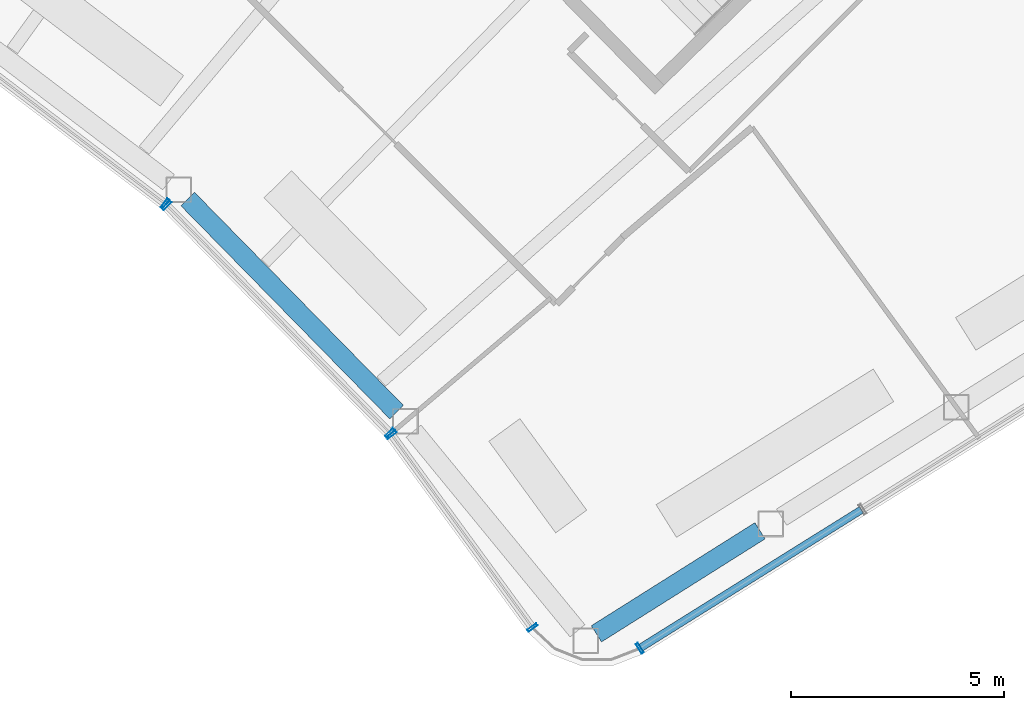
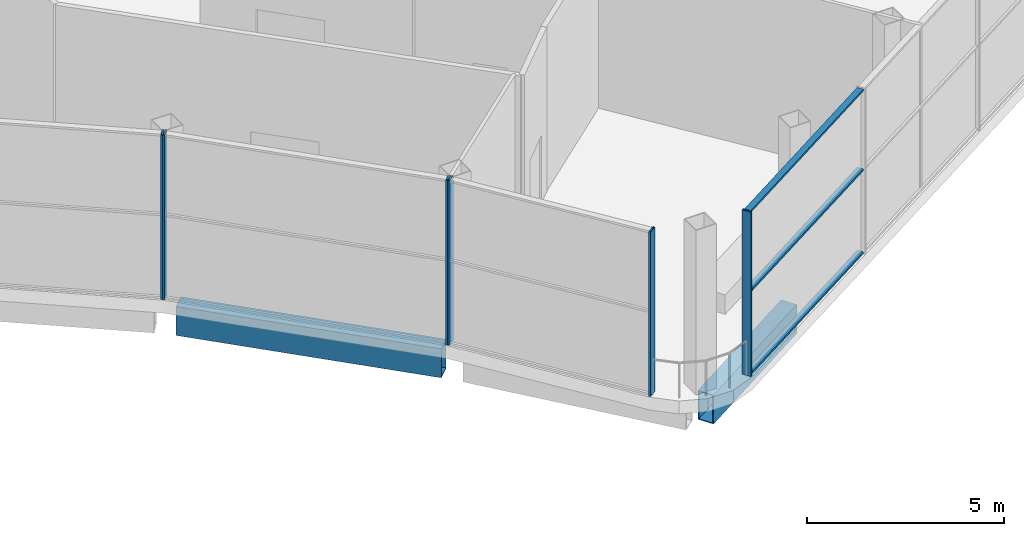
# One storey, part 22 of 43: 9 members, 2 beams, 4 elements without a shape of their own.
"""IFC4 building model written with IfcOpenShell, lengths in metres."""

import ifcopenshell
import ifcopenshell.guid

model = None  # the IFC model being written
_history = None  # IfcOwnerHistory: only IFC2X3 demands one
_inside = {}  # id of a spatial element -> (the spatial element, [elements in it])
_under = {}  # id of a project, library or spatial element -> (it, [spatial elements below it])
_declared = {}  # id of a project -> (the project, [libraries it declares])
_typed = {}  # id of a type object -> (the type object, [elements of that type])
_made_of = {}  # id of a material, layer set ... -> (it, [elements and type objects made of it])


def new_model(schema):
    """Start an empty IFC model of exactly this schema.

    Asked for "IFC4X3", IfcOpenShell would pick the latest addendum, in which some entities
    have other attributes; the version numbers below select the first issue.
    IFC2X3 requires an IfcOwnerHistory on every rooted entity: one is made here for all.
    """
    global model, _history
    if schema == "IFC4X3":
        model = ifcopenshell.file(schema_version=(4, 3, 0, 0))
    else:
        model = ifcopenshell.file(schema=schema)
    _inside.clear()
    _under.clear()
    _declared.clear()
    _typed.clear()
    _made_of.clear()
    _history = None
    if model.schema == "IFC2X3":
        org = make("IfcOrganization", Name="unknown")
        user = make(
            "IfcPersonAndOrganization",
            ThePerson=make("IfcPerson", FamilyName="unknown"),
            TheOrganization=org,
        )
        app = make(
            "IfcApplication",
            ApplicationDeveloper=org,
            Version="unknown",
            ApplicationFullName="unknown",
            ApplicationIdentifier="unknown",
        )
        _history = make(
            "IfcOwnerHistory",
            OwningUser=user,
            OwningApplication=app,
            ChangeAction="ADDED",
            CreationDate=0,
        )
    return model


def make(cls, **values):
    """One entity of the class cls with the attributes given. An attribute that is None is left unset."""
    return model.create_entity(
        cls, **{name: value for name, value in values.items() if value is not None}
    )


def rooted(cls, **values):
    """An entity with a GlobalId (a new one), such as an element, a storey or a relation."""
    return make(cls, GlobalId=ifcopenshell.guid.new(), OwnerHistory=_history, **values)


def si_unit(unit_type, name, prefix=None):
    """IfcSIUnit, for example si_unit("LENGTHUNIT", "METRE", prefix="MILLI")."""
    return make("IfcSIUnit", UnitType=unit_type, Prefix=prefix, Name=name)


def assignment(units):
    """IfcUnitAssignment: the units of a project."""
    return None if units is None else make("IfcUnitAssignment", Units=units)


def point(xyz):
    """IfcCartesianPoint."""
    return None if xyz is None else make("IfcCartesianPoint", Coordinates=xyz)


def direction(xyz):
    """IfcDirection."""
    return None if xyz is None else make("IfcDirection", DirectionRatios=xyz)


def frame(location, z_axis=None, x_axis=None):
    """IfcAxis2Placement3D, a coordinate frame: its origin and axes. An axis left out is left unset."""
    return make(
        "IfcAxis2Placement3D",
        Location=point(location),
        Axis=direction(z_axis),
        RefDirection=direction(x_axis),
    )


def frame_2d(location, x_axis=None):
    """IfcAxis2Placement2D, a coordinate frame in the plane: its origin and x axis."""
    return make(
        "IfcAxis2Placement2D", Location=point(location), RefDirection=direction(x_axis)
    )


def origin():
    """The frame at (0, 0, 0) with its axes left unset."""
    return frame((0.0, 0.0, 0.0))


def origin_2d():
    """The frame at (0, 0) in the plane with its x axis left unset."""
    return frame_2d((0.0, 0.0))


def place(relative_to, where):
    """IfcLocalPlacement: puts the frame where relative to a parent placement (None: the world)."""
    return make(
        "IfcLocalPlacement", PlacementRelTo=relative_to, RelativePlacement=where
    )


def context(
    kind, dimensions, precision=None, world=None, true_north=None, identifier=None
):
    """IfcGeometricRepresentationContext, for example the 3D "Model" context."""
    return make(
        "IfcGeometricRepresentationContext",
        ContextIdentifier=identifier,
        ContextType=kind,
        CoordinateSpaceDimension=dimensions,
        Precision=precision,
        WorldCoordinateSystem=world,
        TrueNorth=true_north,
    )


def subcontext(parent, identifier, kind, view, scale=None):
    """IfcGeometricRepresentationSubContext, for example "Body" below "Model"."""
    return make(
        "IfcGeometricRepresentationSubContext",
        ContextIdentifier=identifier,
        ContextType=kind,
        ParentContext=parent,
        TargetScale=scale,
        TargetView=view,
    )


def project(units=None, contexts=None):
    """IfcProject with its units and contexts."""
    return rooted(
        "IfcProject",
        Name="project",
        RepresentationContexts=contexts,
        UnitsInContext=assignment(units),
    )


def spatial(cls, under=None, at=None, **own):
    """A site, building, storey or space (cls), placed at a placement, below another one or the project."""
    s = rooted(cls, ObjectPlacement=at, **own)
    if under is not None:
        _under.setdefault(under.id(), (under, []))[1].append(s)
    return s


def profile(cls, at=None, kind="AREA", **sizes):
    """A parametric profile (cls). Its sizes go by their IFC names, for example OverallWidth=200.0."""
    return make(cls, ProfileType=kind, Position=at, **sizes)


def hollow_rectangle(**sizes):
    """IfcRectangleHollowProfileDef."""
    return profile("IfcRectangleHollowProfileDef", **sizes)


def extrude(swept, where, along, depth):
    """IfcExtrudedAreaSolid: the profile swept, set in the frame where, extruded along a direction by depth."""
    return make(
        "IfcExtrudedAreaSolid",
        SweptArea=swept,
        Position=where,
        ExtrudedDirection=direction(along),
        Depth=depth,
    )


def shape(context_of_items, identifier, shape_type, items):
    """IfcShapeRepresentation: the items that make up one representation, for example the "Body"."""
    return make(
        "IfcShapeRepresentation",
        ContextOfItems=context_of_items,
        RepresentationIdentifier=identifier,
        RepresentationType=shape_type,
        Items=items,
    )


def material(Name=None, Category=None):
    """IfcMaterial."""
    return make("IfcMaterial", Name=Name, Category=Category)


def layer(
    of_material, thickness, ventilated=None, Name=None, Category=None, Priority=None
):
    """IfcMaterialLayer: one layer of a wall or slab, of a material (None: an air gap)."""
    return make(
        "IfcMaterialLayer",
        Material=of_material,
        LayerThickness=thickness,
        IsVentilated=ventilated,
        Name=Name,
        Category=Category,
        Priority=Priority,
    )


def layer_set(layers, Name=None):
    """IfcMaterialLayerSet."""
    return make("IfcMaterialLayerSet", MaterialLayers=layers, LayerSetName=Name)


def material_profile(
    of_material, cross_section, Name=None, Category=None, Priority=None
):
    """IfcMaterialProfile: a cross section and its material."""
    return make(
        "IfcMaterialProfile",
        Name=Name,
        Material=of_material,
        Profile=cross_section,
        Priority=Priority,
        Category=Category,
    )


def profile_set(profiles, Name=None, composite=None):
    """IfcMaterialProfileSet."""
    return make(
        "IfcMaterialProfileSet",
        Name=Name,
        MaterialProfiles=profiles,
        CompositeProfile=composite,
    )


def made_of(thing, what):
    """Note that an element or type object is made of a material, layer set ...; save() writes the relation."""
    if what is not None:
        _made_of.setdefault(what.id(), (what, []))[1].append(thing)
    return thing


def type_object(cls, material=None, **own):
    """A type object (cls), such as IfcWallType, which elements share."""
    return made_of(rooted(cls, **own), material)


def element(
    cls,
    number,
    at=None,
    inside=None,
    cuts=None,
    type_object=None,
    material=None,
    context=None,
    identifier="Body",
    shape_type=None,
    held_by="IfcProductDefinitionShape",
    body=None,
    shapes=None,
    **own,
):
    """One element of the class cls, such as IfcWall. Its Tag is "e" and its number.

    at: its placement. inside: the storey or other place that contains it. cuts: it is an
    opening in that element (IfcRelVoidsElement). A single representation is given by context,
    identifier, shape_type and body (its items); several are given by shapes. held_by: the class
    of the entity that holds the representations. save() writes the other relations.
    """
    e = rooted(cls, Tag="e%d" % number, ObjectPlacement=at, **own)
    if body is not None:
        shapes = [shape(context, identifier, shape_type, body)]
    if shapes is not None:
        e.Representation = make(held_by, Representations=shapes)
    if inside is not None:
        _inside.setdefault(inside.id(), (inside, []))[1].append(e)
    if cuts is not None:
        rooted(
            "IfcRelVoidsElement", RelatingBuildingElement=cuts, RelatedOpeningElement=e
        )
    if type_object is not None:
        _typed.setdefault(type_object.id(), (type_object, []))[1].append(e)
    return made_of(e, material)


def aggregate(whole, parts):
    """IfcRelAggregates: a whole, such as a stair, and the parts it consists of."""
    return rooted("IfcRelAggregates", RelatingObject=whole, RelatedObjects=parts)


def save(model, path):
    """Write the relations noted so far, then the file.

    IfcRelAggregates (storeys below a building ...), IfcRelContainedInSpatialStructure (elements
    in a storey), IfcRelDefinesByType, IfcRelAssociatesMaterial and IfcRelDeclares: one each for
    every whole, place, type object, material and project.
    """
    for whole, parts in _under.values():
        aggregate(whole, parts)
    for where, things in _inside.values():
        rooted(
            "IfcRelContainedInSpatialStructure",
            RelatedElements=things,
            RelatingStructure=where,
        )
    for kind, things in _typed.values():
        rooted("IfcRelDefinesByType", RelatedObjects=things, RelatingType=kind)
    for what, things in _made_of.values():
        rooted("IfcRelAssociatesMaterial", RelatedObjects=things, RelatingMaterial=what)
    for by, libraries in _declared.values():
        rooted("IfcRelDeclares", RelatingContext=by, RelatedDefinitions=libraries)
    model.write(path)


model = new_model("IFC4")

# Units and contexts
model_context = context("Model", 3, precision=1e-05, world=origin(), true_north=direction((0.0, 1.0)))
body_context = subcontext(model_context, "Body", "Model", "MODEL_VIEW")
ifc_project = project(units=[si_unit("LENGTHUNIT", "METRE"), si_unit("AREAUNIT", "SQUARE_METRE"), si_unit("VOLUMEUNIT", "CUBIC_METRE"), si_unit("PLANEANGLEUNIT", "RADIAN"), si_unit("MASSUNIT", "GRAM", prefix="KILO")], contexts=[model_context])

# Site, building, storey
site_placement = place(None, origin())
site = spatial("IfcSite", under=ifc_project, at=site_placement, CompositionType="ELEMENT")
building_placement = place(site_placement, origin())
building = spatial("IfcBuilding", under=site, at=building_placement, Name="Tuul Gate Civic Tower", CompositionType="ELEMENT")
storey_placement = place(building_placement, frame((0.0, 0.0, 349.10009765625)))
storey = spatial("IfcBuildingStorey", under=building, at=storey_placement, Name="Observation level 1", CompositionType="ELEMENT", Elevation=349.10009765625)

# Curtain wall, member
ifc_material_1 = material(Name="Stainless steel", Category="steel")
ifc_layer = layer(ifc_material_1, 0.199951171875)
ifc_layer_set = layer_set([ifc_layer], Name="Stainless steel")
curtain_wall_type = type_object("IfcCurtainWallType", Name="Curtain wall CW4", PredefinedType="NOTDEFINED", material=ifc_layer_set)
curtain_wall_1_placement = place(storey_placement, origin())
curtain_wall_1 = element("IfcCurtainWall", 1, at=curtain_wall_1_placement, inside=storey, type_object=curtain_wall_type, Name="Curtain wall CW4", PredefinedType="NOTDEFINED")
ifc_material_2 = material(Name="Stainless steel", Category="steel")
ifc_material_profile_1 = material_profile(ifc_material_2, hollow_rectangle(XDim=0.260009765625, YDim=0.06005859375, WallThickness=0.006103515625, at=origin_2d()), Name="CW4 mullion")
ifc_profile_set_1 = profile_set([ifc_material_profile_1], Name="Stainless steel")
member_type_1 = type_object("IfcMemberType", Name="CW4 mullion", PredefinedType="MULLION", material=ifc_profile_set_1)
member_1_placement = place(storey_placement, frame((36.63623046875, -20.995849609375, 0.0), z_axis=(0.0, 0.0, 1.0), x_axis=(0.605851052715, 0.795578092914, 0.0)))
member_1 = element("IfcMember", 2, at=member_1_placement, type_object=member_type_1, Name="Mullion", PredefinedType="MULLION", context=body_context, shape_type="SweptSolid", body=[
    extrude(hollow_rectangle(XDim=0.260009765625, YDim=0.06005859375, WallThickness=0.006103515625, at=origin_2d()), origin(), (0.0, 0.0, 1.0), 5.099853515625),
])
aggregate(curtain_wall_1, [member_1])

# Curtain wall, members
curtain_wall_2_placement = place(storey_placement, origin())
curtain_wall_2 = element("IfcCurtainWall", 3, at=curtain_wall_2_placement, inside=storey, type_object=curtain_wall_type, Name="Curtain wall CW4", PredefinedType="NOTDEFINED")
member_2_placement = place(storey_placement, frame((36.680908203125, -21.035400390625, 0.0), z_axis=(0.0, 0.0, 1.0), x_axis=(0.714048093092, 0.700096651008, 0.0)))
member_2 = element("IfcMember", 4, at=member_2_placement, type_object=member_type_1, Name="Mullion", PredefinedType="MULLION", context=body_context, shape_type="SweptSolid", body=[
    extrude(hollow_rectangle(XDim=0.260009765625, YDim=0.06005859375, WallThickness=0.006103515625, at=origin_2d()), origin(), (0.0, 0.0, 1.0), 5.099853515625),
])
member_3_placement = place(storey_placement, frame((41.907958984375, -26.36669921875, 0.0), z_axis=(0.0, 0.0, 1.0), x_axis=(0.714048093092, 0.700096651008, 0.0)))
member_3 = element("IfcMember", 5, at=member_3_placement, type_object=member_type_1, Name="Mullion", PredefinedType="MULLION", context=body_context, shape_type="SweptSolid", body=[
    extrude(hollow_rectangle(XDim=0.260009765625, YDim=0.06005859375, WallThickness=0.006103515625, at=origin_2d()), origin(), (0.0, 0.0, 1.0), 5.099853515625),
])
aggregate(curtain_wall_2, [member_2, member_3])

curtain_wall_3_placement = place(storey_placement, origin())
curtain_wall_3 = element("IfcCurtainWall", 6, at=curtain_wall_3_placement, inside=storey, type_object=curtain_wall_type, Name="Curtain wall CW4", PredefinedType="NOTDEFINED")
member_4_placement = place(storey_placement, frame((41.94677734375, -26.412109375, 0.0), z_axis=(0.0, 0.0, 1.0), x_axis=(0.807595190444, 0.589737236717, 0.0)))
member_4 = element("IfcMember", 7, at=member_4_placement, type_object=member_type_1, Name="Mullion", PredefinedType="MULLION", context=body_context, shape_type="SweptSolid", body=[
    extrude(hollow_rectangle(XDim=0.260009765625, YDim=0.06005859375, WallThickness=0.006103515625, at=origin_2d()), origin(), (0.0, 0.0, 1.0), 5.099853515625),
])
member_5_placement = place(storey_placement, frame((45.246337890625, -30.9306640625, 0.0), z_axis=(0.0, 0.0, 1.0), x_axis=(0.807595190444, 0.589737236717, 0.0)))
member_5 = element("IfcMember", 8, at=member_5_placement, type_object=member_type_1, Name="Mullion", PredefinedType="MULLION", context=body_context, shape_type="SweptSolid", body=[
    extrude(hollow_rectangle(XDim=0.260009765625, YDim=0.06005859375, WallThickness=0.006103515625, at=origin_2d()), origin(), (0.0, 0.0, 1.0), 5.099853515625),
])
aggregate(curtain_wall_3, [member_4, member_5])

curtain_wall_4_placement = place(storey_placement, origin())
curtain_wall_4 = element("IfcCurtainWall", 9, at=curtain_wall_4_placement, inside=storey, type_object=curtain_wall_type, Name="Curtain wall CW4", PredefinedType="NOTDEFINED")
member_6_placement = place(storey_placement, frame((47.764404296875, -31.4169921875, 0.0), z_axis=(0.0, 0.0, 1.0), x_axis=(-0.529911707044, 0.848052818366, 0.0)))
member_6 = element("IfcMember", 10, at=member_6_placement, type_object=member_type_1, Name="Mullion", PredefinedType="MULLION", context=body_context, shape_type="SweptSolid", body=[
    extrude(hollow_rectangle(XDim=0.260009765625, YDim=0.06005859375, WallThickness=0.006103515625, at=origin_2d()), origin(), (0.0, 0.0, 1.0), 5.099853515625),
])
ifc_material_3 = material(Name="Stainless steel", Category="steel")
ifc_material_profile_2 = material_profile(ifc_material_3, hollow_rectangle(XDim=0.179931640625, YDim=0.06005859375, WallThickness=0.006103515625, at=origin_2d()), Name="CW4 transom")
ifc_profile_set_2 = profile_set([ifc_material_profile_2], Name="Stainless steel")
member_type_2 = type_object("IfcMemberType", Name="CW4 transom", PredefinedType="USERDEFINED", material=ifc_profile_set_2)
member_7_placement = place(storey_placement, frame((47.789794921875, -31.401123046875, 0.02978515625), z_axis=(0.848061330944, 0.529898083557, 0.0), x_axis=(-0.529898083557, 0.848061330944, 0.0)))
member_7 = element("IfcMember", 11, at=member_7_placement, type_object=member_type_2, Name="Transom", ObjectType="TRANSOM", PredefinedType="USERDEFINED", context=body_context, shape_type="SweptSolid", body=[
    extrude(hollow_rectangle(XDim=0.179931640625, YDim=0.06005859375, WallThickness=0.006103515625, at=origin_2d()), origin(), (0.0, 0.0, 1.0), 6.0927734375),
])
member_8_placement = place(storey_placement, frame((47.789794921875, -31.401123046875, 2.599853515625), z_axis=(0.848061330944, 0.529898083557, 0.0), x_axis=(-0.529898083557, 0.848061330944, 0.0)))
member_8 = element("IfcMember", 12, at=member_8_placement, type_object=member_type_2, Name="Transom", ObjectType="TRANSOM", PredefinedType="USERDEFINED", context=body_context, shape_type="SweptSolid", body=[
    extrude(hollow_rectangle(XDim=0.179931640625, YDim=0.06005859375, WallThickness=0.006103515625, at=origin_2d()), origin(), (0.0, 0.0, 1.0), 6.0927734375),
])
member_9_placement = place(storey_placement, frame((47.789794921875, -31.401123046875, 5.06982421875), z_axis=(0.848061330944, 0.529898083557, 0.0), x_axis=(-0.529898083557, 0.848061330944, 0.0)))
member_9 = element("IfcMember", 13, at=member_9_placement, type_object=member_type_2, Name="Transom", ObjectType="TRANSOM", PredefinedType="USERDEFINED", context=body_context, shape_type="SweptSolid", body=[
    extrude(hollow_rectangle(XDim=0.179931640625, YDim=0.06005859375, WallThickness=0.006103515625, at=origin_2d()), origin(), (0.0, 0.0, 1.0), 6.0927734375),
])
aggregate(curtain_wall_4, [member_6, member_7, member_8, member_9])

# Beams
ifc_material_4 = material(Name="Steel S355", Category="steel")
ifc_material_profile_3 = material_profile(ifc_material_4, hollow_rectangle(XDim=0.449951171875, YDim=0.89990234375, WallThickness=0.02490234375, at=origin_2d()), Name="BOX900x450x25")
ifc_profile_set_3 = profile_set([ifc_material_profile_3], Name="Steel S355")
beam_type = type_object("IfcBeamType", Name="STR-SPANDREL BEAM-BOX900x450x25", PredefinedType="BEAM", material=ifc_profile_set_3)
beam_1_placement = place(storey_placement, frame((37.1689453125, -20.88916015625, -0.85009765625), z_axis=(0.699947818205, -0.714193987507, 0.0), x_axis=(0.714193987507, 0.699947818205, 0.0)))
element("IfcBeam", 14, at=beam_1_placement, inside=storey, type_object=beam_type, Name="Spandrel beam", PredefinedType="BEAM", context=body_context, shape_type="SweptSolid", body=[
    extrude(hollow_rectangle(XDim=0.449951171875, YDim=0.89990234375, WallThickness=0.02490234375, at=origin_2d()), origin(), (0.0, 0.0, 1.0), 6.991943359375),
])
beam_2_placement = place(storey_placement, frame((46.746826171875, -31.0791015625, -0.85009765625), z_axis=(0.846119459476, 0.532993302299, 0.0), x_axis=(-0.532993302299, 0.846119459476, 0.0)))
element("IfcBeam", 15, at=beam_2_placement, inside=storey, type_object=beam_type, Name="Spandrel beam", PredefinedType="BEAM", context=body_context, shape_type="SweptSolid", body=[
    extrude(hollow_rectangle(XDim=0.449951171875, YDim=0.89990234375, WallThickness=0.02490234375, at=origin_2d()), origin(), (0.0, 0.0, 1.0), 4.531494140625),
])

save(model, "model.ifc")
